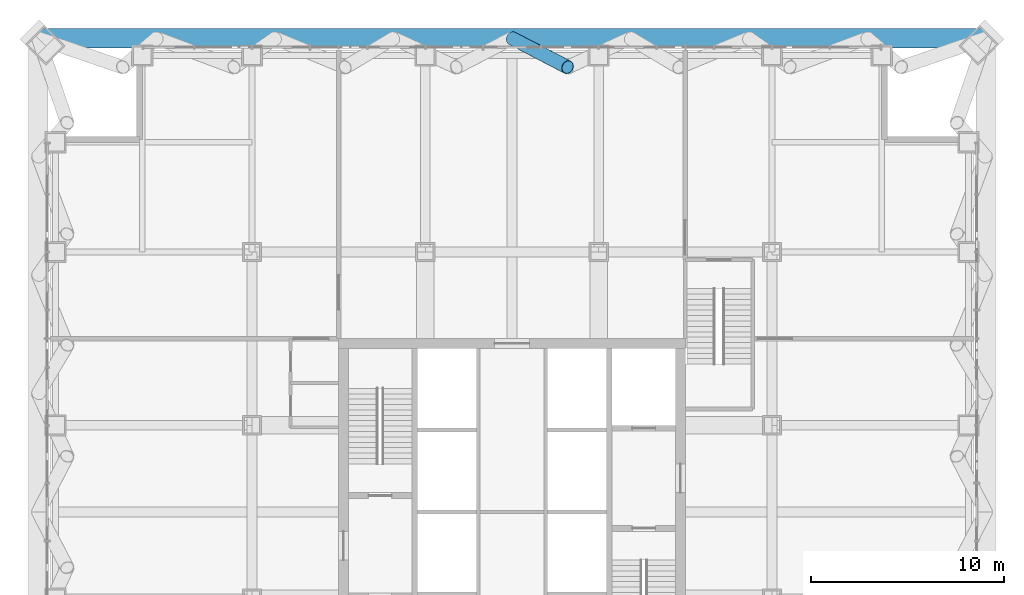
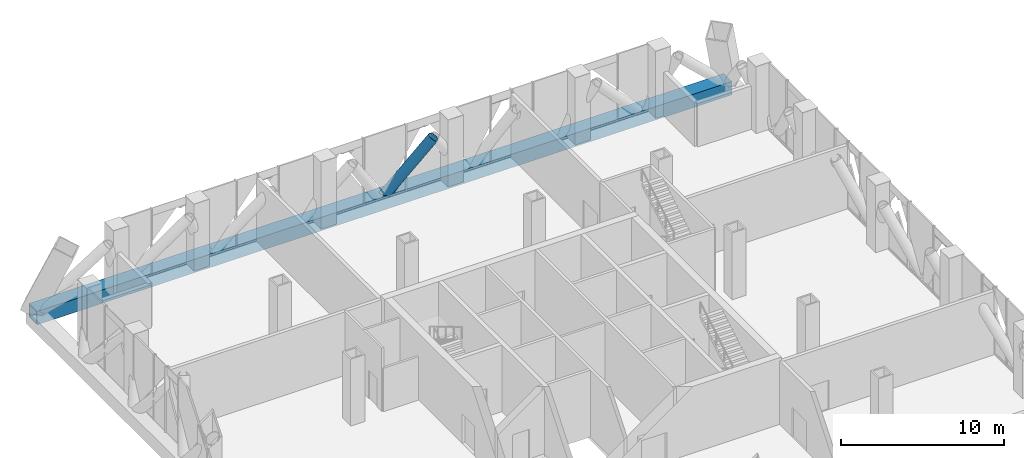
# One storey, part 11 of 29: 2 members.
"""IFC4 building model written with IfcOpenShell, lengths in metres."""

from ifc_helpers import new_model, si_unit, direction, frame, origin, origin_2d, place, context, subcontext, project, spatial, hollow_rectangle, hollow_circle, extrude, material, material_profile, profile_set, type_object, element, save


model = new_model("IFC4")

# Units and contexts
model_context = context("Model", 3, precision=1e-05, world=origin(), true_north=direction((0.0, 1.0)))
body_context = subcontext(model_context, "Body", "Model", "MODEL_VIEW")
ifc_project = project(units=[si_unit("LENGTHUNIT", "METRE"), si_unit("AREAUNIT", "SQUARE_METRE"), si_unit("VOLUMEUNIT", "CUBIC_METRE"), si_unit("PLANEANGLEUNIT", "RADIAN"), si_unit("MASSUNIT", "GRAM", prefix="KILO")], contexts=[model_context])

# Site, building, storey
site_placement = place(None, origin())
site = spatial("IfcSite", under=ifc_project, at=site_placement, CompositionType="ELEMENT")
building_placement = place(site_placement, origin())
building = spatial("IfcBuilding", under=site, at=building_placement, Name="Malebo Sky Hospital", CompositionType="ELEMENT")
storey_placement = place(building_placement, frame((0.0, 0.0, 172.0)))
storey = spatial("IfcBuildingStorey", under=building, at=storey_placement, Name="L41", CompositionType="ELEMENT", Elevation=172.0)

# Members
ifc_material = material(Name="Steel S460", Category="steel")
ifc_material_profile_1 = material_profile(ifc_material, hollow_circle(Radius=0.35546875, WallThickness=0.02490234375, at=origin_2d()), Name="CHS 711x25")
ifc_profile_set_1 = profile_set([ifc_material_profile_1], Name="Steel S460")
member_type_1 = type_object("IfcMemberType", Name="BELT TRUSS DIAGONAL CHS 711x25", PredefinedType="BRACE", material=ifc_profile_set_1)
member_1_placement = place(storey_placement, frame((62.887451171875, 85.10009765625, 4.14990234375), z_axis=(-0.516208408429, 0.268164746883, -0.813398148262), x_axis=(-0.460995967099, -0.887402230287, 0.0)))
element("IfcMember", 1, at=member_1_placement, inside=storey, type_object=member_type_1, Name="Belt truss diagonal N4.2 L41", PredefinedType="BRACE", context=body_context, shape_type="SweptSolid", body=[
    extrude(hollow_circle(Radius=0.35546875, WallThickness=0.02490234375, at=origin_2d()), origin(), (0.0, 0.0, 1.0), 5.593505859375),
])
ifc_material_profile_2 = material_profile(ifc_material, hollow_rectangle(XDim=1.0, YDim=1.0, WallThickness=0.06005859375, at=origin_2d()), Name="BOX 1000x1000x60")
ifc_profile_set_2 = profile_set([ifc_material_profile_2], Name="Steel S460")
member_type_2 = type_object("IfcMemberType", Name="MEGA TIE BOX 1000x1000x60", PredefinedType="CHORD", material=ifc_profile_set_2)
member_2_placement = place(storey_placement, frame((84.60009765625, 86.60009765625, -0.39990234375), z_axis=(-1.0, 0.0, 0.0), x_axis=(0.0, -1.0, 0.0)))
element("IfcMember", 2, at=member_2_placement, inside=storey, type_object=member_type_2, Name="Mega tie BN L41", PredefinedType="CHORD", context=body_context, shape_type="SweptSolid", body=[
    extrude(hollow_rectangle(XDim=1.0, YDim=1.0, WallThickness=0.06005859375, at=origin_2d()), origin(), (0.0, 0.0, 1.0), 49.2001953125),
])

save(model, "model.ifc")
